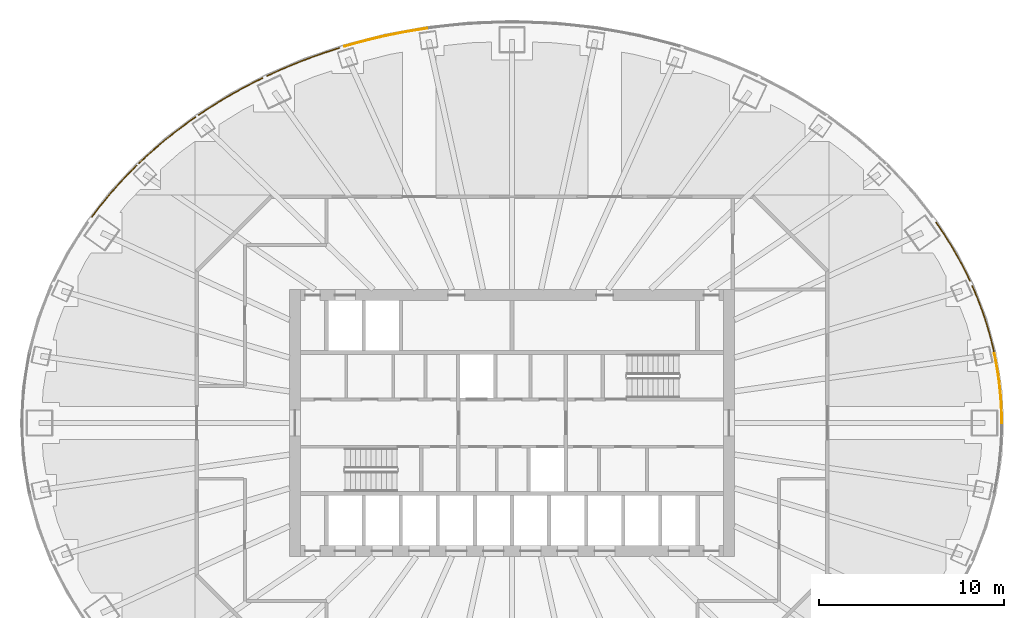
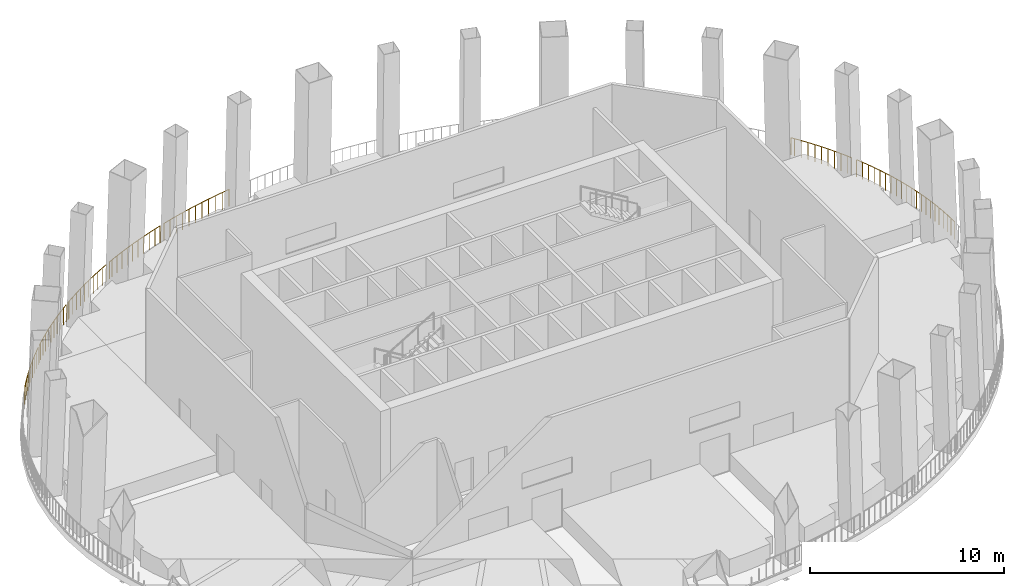
# One storey, part 12 of 13: 8 railings.
"""IFC4 building model written with IfcOpenShell, lengths in metres."""

import ifcopenshell
import ifcopenshell.guid

model = None  # the IFC model being written
_history = None  # IfcOwnerHistory: only IFC2X3 demands one
_inside = {}  # id of a spatial element -> (the spatial element, [elements in it])
_under = {}  # id of a project, library or spatial element -> (it, [spatial elements below it])
_declared = {}  # id of a project -> (the project, [libraries it declares])
_typed = {}  # id of a type object -> (the type object, [elements of that type])
_made_of = {}  # id of a material, layer set ... -> (it, [elements and type objects made of it])


def new_model(schema):
    """Start an empty IFC model of exactly this schema.

    Asked for "IFC4X3", IfcOpenShell would pick the latest addendum, in which some entities
    have other attributes; the version numbers below select the first issue.
    IFC2X3 requires an IfcOwnerHistory on every rooted entity: one is made here for all.
    """
    global model, _history
    if schema == "IFC4X3":
        model = ifcopenshell.file(schema_version=(4, 3, 0, 0))
    else:
        model = ifcopenshell.file(schema=schema)
    _inside.clear()
    _under.clear()
    _declared.clear()
    _typed.clear()
    _made_of.clear()
    _history = None
    if model.schema == "IFC2X3":
        org = make("IfcOrganization", Name="unknown")
        user = make(
            "IfcPersonAndOrganization",
            ThePerson=make("IfcPerson", FamilyName="unknown"),
            TheOrganization=org,
        )
        app = make(
            "IfcApplication",
            ApplicationDeveloper=org,
            Version="unknown",
            ApplicationFullName="unknown",
            ApplicationIdentifier="unknown",
        )
        _history = make(
            "IfcOwnerHistory",
            OwningUser=user,
            OwningApplication=app,
            ChangeAction="ADDED",
            CreationDate=0,
        )
    return model


def make(cls, **values):
    """One entity of the class cls with the attributes given. An attribute that is None is left unset."""
    return model.create_entity(
        cls, **{name: value for name, value in values.items() if value is not None}
    )


def rooted(cls, **values):
    """An entity with a GlobalId (a new one), such as an element, a storey or a relation."""
    return make(cls, GlobalId=ifcopenshell.guid.new(), OwnerHistory=_history, **values)


def si_unit(unit_type, name, prefix=None):
    """IfcSIUnit, for example si_unit("LENGTHUNIT", "METRE", prefix="MILLI")."""
    return make("IfcSIUnit", UnitType=unit_type, Prefix=prefix, Name=name)


def assignment(units):
    """IfcUnitAssignment: the units of a project."""
    return None if units is None else make("IfcUnitAssignment", Units=units)


def point(xyz):
    """IfcCartesianPoint."""
    return None if xyz is None else make("IfcCartesianPoint", Coordinates=xyz)


def direction(xyz):
    """IfcDirection."""
    return None if xyz is None else make("IfcDirection", DirectionRatios=xyz)


def frame(location, z_axis=None, x_axis=None):
    """IfcAxis2Placement3D, a coordinate frame: its origin and axes. An axis left out is left unset."""
    return make(
        "IfcAxis2Placement3D",
        Location=point(location),
        Axis=direction(z_axis),
        RefDirection=direction(x_axis),
    )


def frame_2d(location, x_axis=None):
    """IfcAxis2Placement2D, a coordinate frame in the plane: its origin and x axis."""
    return make(
        "IfcAxis2Placement2D", Location=point(location), RefDirection=direction(x_axis)
    )


def origin():
    """The frame at (0, 0, 0) with its axes left unset."""
    return frame((0.0, 0.0, 0.0))


def origin_2d():
    """The frame at (0, 0) in the plane with its x axis left unset."""
    return frame_2d((0.0, 0.0))


def place(relative_to, where):
    """IfcLocalPlacement: puts the frame where relative to a parent placement (None: the world)."""
    return make(
        "IfcLocalPlacement", PlacementRelTo=relative_to, RelativePlacement=where
    )


def context(
    kind, dimensions, precision=None, world=None, true_north=None, identifier=None
):
    """IfcGeometricRepresentationContext, for example the 3D "Model" context."""
    return make(
        "IfcGeometricRepresentationContext",
        ContextIdentifier=identifier,
        ContextType=kind,
        CoordinateSpaceDimension=dimensions,
        Precision=precision,
        WorldCoordinateSystem=world,
        TrueNorth=true_north,
    )


def subcontext(parent, identifier, kind, view, scale=None):
    """IfcGeometricRepresentationSubContext, for example "Body" below "Model"."""
    return make(
        "IfcGeometricRepresentationSubContext",
        ContextIdentifier=identifier,
        ContextType=kind,
        ParentContext=parent,
        TargetScale=scale,
        TargetView=view,
    )


def project(units=None, contexts=None):
    """IfcProject with its units and contexts."""
    return rooted(
        "IfcProject",
        Name="project",
        RepresentationContexts=contexts,
        UnitsInContext=assignment(units),
    )


def spatial(cls, under=None, at=None, **own):
    """A site, building, storey or space (cls), placed at a placement, below another one or the project."""
    s = rooted(cls, ObjectPlacement=at, **own)
    if under is not None:
        _under.setdefault(under.id(), (under, []))[1].append(s)
    return s


def profile(cls, at=None, kind="AREA", **sizes):
    """A parametric profile (cls). Its sizes go by their IFC names, for example OverallWidth=200.0."""
    return make(cls, ProfileType=kind, Position=at, **sizes)


def circle(**sizes):
    """IfcCircleProfileDef."""
    return profile("IfcCircleProfileDef", **sizes)


def extrude(swept, where, along, depth):
    """IfcExtrudedAreaSolid: the profile swept, set in the frame where, extruded along a direction by depth."""
    return make(
        "IfcExtrudedAreaSolid",
        SweptArea=swept,
        Position=where,
        ExtrudedDirection=direction(along),
        Depth=depth,
    )


def shape(context_of_items, identifier, shape_type, items):
    """IfcShapeRepresentation: the items that make up one representation, for example the "Body"."""
    return make(
        "IfcShapeRepresentation",
        ContextOfItems=context_of_items,
        RepresentationIdentifier=identifier,
        RepresentationType=shape_type,
        Items=items,
    )


def material(Name=None, Category=None):
    """IfcMaterial."""
    return make("IfcMaterial", Name=Name, Category=Category)


def made_of(thing, what):
    """Note that an element or type object is made of a material, layer set ...; save() writes the relation."""
    if what is not None:
        _made_of.setdefault(what.id(), (what, []))[1].append(thing)
    return thing


def type_object(cls, material=None, **own):
    """A type object (cls), such as IfcWallType, which elements share."""
    return made_of(rooted(cls, **own), material)


def element(
    cls,
    number,
    at=None,
    inside=None,
    cuts=None,
    type_object=None,
    material=None,
    context=None,
    identifier="Body",
    shape_type=None,
    held_by="IfcProductDefinitionShape",
    body=None,
    shapes=None,
    **own,
):
    """One element of the class cls, such as IfcWall. Its Tag is "e" and its number.

    at: its placement. inside: the storey or other place that contains it. cuts: it is an
    opening in that element (IfcRelVoidsElement). A single representation is given by context,
    identifier, shape_type and body (its items); several are given by shapes. held_by: the class
    of the entity that holds the representations. save() writes the other relations.
    """
    e = rooted(cls, Tag="e%d" % number, ObjectPlacement=at, **own)
    if body is not None:
        shapes = [shape(context, identifier, shape_type, body)]
    if shapes is not None:
        e.Representation = make(held_by, Representations=shapes)
    if inside is not None:
        _inside.setdefault(inside.id(), (inside, []))[1].append(e)
    if cuts is not None:
        rooted(
            "IfcRelVoidsElement", RelatingBuildingElement=cuts, RelatedOpeningElement=e
        )
    if type_object is not None:
        _typed.setdefault(type_object.id(), (type_object, []))[1].append(e)
    return made_of(e, material)


def aggregate(whole, parts):
    """IfcRelAggregates: a whole, such as a stair, and the parts it consists of."""
    return rooted("IfcRelAggregates", RelatingObject=whole, RelatedObjects=parts)


def save(model, path):
    """Write the relations noted so far, then the file.

    IfcRelAggregates (storeys below a building ...), IfcRelContainedInSpatialStructure (elements
    in a storey), IfcRelDefinesByType, IfcRelAssociatesMaterial and IfcRelDeclares: one each for
    every whole, place, type object, material and project.
    """
    for whole, parts in _under.values():
        aggregate(whole, parts)
    for where, things in _inside.values():
        rooted(
            "IfcRelContainedInSpatialStructure",
            RelatedElements=things,
            RelatingStructure=where,
        )
    for kind, things in _typed.values():
        rooted("IfcRelDefinesByType", RelatedObjects=things, RelatingType=kind)
    for what, things in _made_of.values():
        rooted("IfcRelAssociatesMaterial", RelatedObjects=things, RelatingMaterial=what)
    for by, libraries in _declared.values():
        rooted("IfcRelDeclares", RelatingContext=by, RelatedDefinitions=libraries)
    model.write(path)


model = new_model("IFC4")

# Units and contexts
model_context = context("Model", 3, precision=1e-05, world=origin(), true_north=direction((0.0, 1.0)))
body_context = subcontext(model_context, "Body", "Model", "MODEL_VIEW")
ifc_project = project(units=[si_unit("LENGTHUNIT", "METRE"), si_unit("AREAUNIT", "SQUARE_METRE"), si_unit("VOLUMEUNIT", "CUBIC_METRE"), si_unit("PLANEANGLEUNIT", "RADIAN"), si_unit("MASSUNIT", "GRAM", prefix="KILO")], contexts=[model_context])

# Site, building, storey
site_placement = place(None, origin())
site = spatial("IfcSite", under=ifc_project, at=site_placement, CompositionType="ELEMENT")
building_placement = place(site_placement, origin())
building = spatial("IfcBuilding", under=site, at=building_placement, Name="Siaravel Broadcast Tower", CompositionType="ELEMENT")
storey_placement = place(building_placement, frame((0.0, 0.0, 85.199951171875)))
storey = spatial("IfcBuildingStorey", under=building, at=storey_placement, Name="L20", CompositionType="ELEMENT", Elevation=85.199951171875)

# Railings
ifc_material = material(Name="Steel S355", Category="steel")
railing_type = type_object("IfcRailingType", Name="Guard 1100", PredefinedType="GUARDRAIL", material=ifc_material)
railing_1_placement = place(storey_placement, frame((26.409423828125, 0.0, 0.080078125)))
element("IfcRailing", 1, at=railing_1_placement, inside=storey, type_object=railing_type, Name="L20 sky garden guard 01", PredefinedType="GUARDRAIL", context=body_context, shape_type="SweptSolid", body=[
    extrude(circle(Radius=0.02392578125, at=origin_2d()), frame((0.0, 0.0, 1.076171875), z_axis=(-0.010355432, 0.999946381, 0.0), x_axis=(-0.999946381, -0.010355432, 0.0)), (0.0, 0.0, 1.0), 0.377197265625),
    extrude(circle(Radius=0.02392578125, at=origin_2d()), frame((-0.00390625, 0.377197265625, 1.076171875), z_axis=(-0.032366453, 0.999476069, 0.0), x_axis=(-0.999476069, -0.032366453, 0.0)), (0.0, 0.0, 1.0), 0.377197265625),
    extrude(circle(Radius=0.02392578125, at=origin_2d()), frame((-0.01611328125, 0.754150390625, 1.076171875), z_axis=(-0.053034068, 0.998592704, 0.0), x_axis=(-0.998592704, -0.053034068, 0.0)), (0.0, 0.0, 1.0), 0.37744140625),
    extrude(circle(Radius=0.02392578125, at=origin_2d()), frame((-0.0361328125, 1.131103515625, 1.076171875), z_axis=(-0.07437193, 0.997230573, 0.0), x_axis=(-0.997230573, -0.07437193, 0.0)), (0.0, 0.0, 1.0), 0.37744140625),
    extrude(circle(Radius=0.02392578125, at=origin_2d()), frame((-0.064208984375, 1.507568359375, 1.076171875), z_axis=(-0.096303539, 0.995352012, 0.0), x_axis=(-0.995352012, -0.096303539, 0.0)), (0.0, 0.0, 1.0), 0.377685546875),
    extrude(circle(Radius=0.02392578125, at=origin_2d()), frame((-0.1005859375, 1.883544921875, 1.076171875), z_axis=(-0.116953717, 0.993137366, 0.0), x_axis=(-0.993137366, -0.116953717, 0.0)), (0.0, 0.0, 1.0), 0.3779296875),
    extrude(circle(Radius=0.02392578125, at=origin_2d()), frame((-0.144775390625, 2.2587890625, 1.076171875), z_axis=(-0.137990099, 0.990433608, 0.0), x_axis=(-0.990433608, -0.137990099, 0.0)), (0.0, 0.0, 1.0), 0.378662109375),
    extrude(circle(Radius=0.02392578125, at=origin_2d()), frame((-0.197021484375, 2.6337890625, 1.076171875), z_axis=(-0.158644417, 0.987335783, 0.0), x_axis=(-0.987335783, -0.158644417, 0.0)), (0.0, 0.0, 1.0), 0.378662109375),
    extrude(circle(Radius=0.02392578125, at=origin_2d()), frame((-0.257080078125, 3.007568359375, 1.076171875), z_axis=(-0.179621902, 0.983735723, 0.0), x_axis=(-0.983735723, -0.179621902, 0.0)), (0.0, 0.0, 1.0), 0.379150390625),
    extrude(circle(Radius=0.02392578125, at=origin_2d()), frame((-0.3251953125, 3.380615234375, 1.076171875), z_axis=(-0.199947416, 0.979806629, 0.0), x_axis=(-0.979806629, -0.199947416, 0.0)), (0.0, 0.0, 1.0), 0.379638671875),
    extrude(circle(Radius=0.02099609375, at=origin_2d()), origin(), (0.0, 0.0, 1.0), 1.052001953125),
    extrude(circle(Radius=0.02099609375, at=origin_2d()), frame((-0.00390625, 0.377197265625, 0.0)), (0.0, 0.0, 1.0), 1.052001953125),
    extrude(circle(Radius=0.02099609375, at=origin_2d()), frame((-0.01611328125, 0.754150390625, 0.0)), (0.0, 0.0, 1.0), 1.052001953125),
    extrude(circle(Radius=0.02099609375, at=origin_2d()), frame((-0.0361328125, 1.131103515625, 0.0)), (0.0, 0.0, 1.0), 1.052001953125),
    extrude(circle(Radius=0.02099609375, at=origin_2d()), frame((-0.064208984375, 1.507568359375, 0.0)), (0.0, 0.0, 1.0), 1.052001953125),
    extrude(circle(Radius=0.02099609375, at=origin_2d()), frame((-0.1005859375, 1.883544921875, 0.0)), (0.0, 0.0, 1.0), 1.052001953125),
    extrude(circle(Radius=0.02099609375, at=origin_2d()), frame((-0.144775390625, 2.2587890625, 0.0)), (0.0, 0.0, 1.0), 1.052001953125),
    extrude(circle(Radius=0.02099609375, at=origin_2d()), frame((-0.197021484375, 2.6337890625, 0.0)), (0.0, 0.0, 1.0), 1.052001953125),
    extrude(circle(Radius=0.02099609375, at=origin_2d()), frame((-0.257080078125, 3.007568359375, 0.0)), (0.0, 0.0, 1.0), 1.052001953125),
    extrude(circle(Radius=0.02099609375, at=origin_2d()), frame((-0.3251953125, 3.380615234375, 0.0)), (0.0, 0.0, 1.0), 1.052001953125),
    extrude(circle(Radius=0.02099609375, at=origin_2d()), frame((-0.401123046875, 3.752685546875, 0.0)), (0.0, 0.0, 1.0), 1.052001953125),
])
railing_2_placement = place(storey_placement, frame((26.00830078125, 3.752685546875, 0.080078125)))
element("IfcRailing", 2, at=railing_2_placement, inside=storey, type_object=railing_type, Name="L20 sky garden guard 02", PredefinedType="GUARDRAIL", context=body_context, shape_type="SweptSolid", body=[
    extrude(circle(Radius=0.02392578125, at=origin_2d()), frame((0.0, 0.0, 1.076171875), z_axis=(-0.220871747, 0.975302861, 0.0), x_axis=(-0.975302861, -0.220871747, 0.0)), (0.0, 0.0, 1.0), 0.380126953125),
    extrude(circle(Radius=0.02392578125, at=origin_2d()), frame((-0.083984375, 0.370849609375, 1.076171875), z_axis=(-0.241630677, 0.970368289, 0.0), x_axis=(-0.970368289, -0.241630677, 0.0)), (0.0, 0.0, 1.0), 0.380859375),
    extrude(circle(Radius=0.02392578125, at=origin_2d()), frame((-0.176025390625, 0.740478515625, 1.076171875), z_axis=(-0.261763284, 0.965132107, 0.0), x_axis=(-0.965132107, -0.261763284, 0.0)), (0.0, 0.0, 1.0), 0.38134765625),
    extrude(circle(Radius=0.02392578125, at=origin_2d()), frame((-0.27587890625, 1.108642578125, 1.076171875), z_axis=(-0.281128409, 0.959670161, 0.0), x_axis=(-0.959670161, -0.281128409, 0.0)), (0.0, 0.0, 1.0), 0.382080078125),
    extrude(circle(Radius=0.02392578125, at=origin_2d()), frame((-0.38330078125, 1.475341796875, 1.076171875), z_axis=(-0.301466882, 0.953476649, 0.0), x_axis=(-0.953476649, -0.301466882, 0.0)), (0.0, 0.0, 1.0), 0.383056640625),
    extrude(circle(Radius=0.02392578125, at=origin_2d()), frame((-0.498779296875, 1.840576171875, 1.076171875), z_axis=(-0.321184309, 0.947016705, 0.0), x_axis=(-0.947016705, -0.321184309, 0.0)), (0.0, 0.0, 1.0), 0.3837890625),
    extrude(circle(Radius=0.02392578125, at=origin_2d()), frame((-0.6220703125, 2.2041015625, 1.076171875), z_axis=(-0.340315265, 0.940311395, 0.0), x_axis=(-0.940311395, -0.340315265, 0.0)), (0.0, 0.0, 1.0), 0.384521484375),
    extrude(circle(Radius=0.02392578125, at=origin_2d()), frame((-0.7529296875, 2.565673828125, 1.076171875), z_axis=(-0.359785419, 0.933035075, 0.0), x_axis=(-0.933035075, -0.359785419, 0.0)), (0.0, 0.0, 1.0), 0.385498046875),
    extrude(circle(Radius=0.02392578125, at=origin_2d()), frame((-0.8916015625, 2.92529296875, 1.076171875), z_axis=(-0.377919108, 0.925838618, 0.0), x_axis=(-0.925838618, -0.377919108, 0.0)), (0.0, 0.0, 1.0), 0.38623046875),
    extrude(circle(Radius=0.02392578125, at=origin_2d()), frame((-1.03759765625, 3.282958984375, 1.076171875), z_axis=(-0.397413005, 0.917639855, 0.0), x_axis=(-0.917639855, -0.397413005, 0.0)), (0.0, 0.0, 1.0), 0.3876953125),
    extrude(circle(Radius=0.02099609375, at=origin_2d()), origin(), (0.0, 0.0, 1.0), 1.052001953125),
    extrude(circle(Radius=0.02099609375, at=origin_2d()), frame((-0.083984375, 0.370849609375, 0.0)), (0.0, 0.0, 1.0), 1.052001953125),
    extrude(circle(Radius=0.02099609375, at=origin_2d()), frame((-0.176025390625, 0.740478515625, 0.0)), (0.0, 0.0, 1.0), 1.052001953125),
    extrude(circle(Radius=0.02099609375, at=origin_2d()), frame((-0.27587890625, 1.108642578125, 0.0)), (0.0, 0.0, 1.0), 1.052001953125),
    extrude(circle(Radius=0.02099609375, at=origin_2d()), frame((-0.38330078125, 1.475341796875, 0.0)), (0.0, 0.0, 1.0), 1.052001953125),
    extrude(circle(Radius=0.02099609375, at=origin_2d()), frame((-0.498779296875, 1.840576171875, 0.0)), (0.0, 0.0, 1.0), 1.052001953125),
    extrude(circle(Radius=0.02099609375, at=origin_2d()), frame((-0.6220703125, 2.2041015625, 0.0)), (0.0, 0.0, 1.0), 1.052001953125),
    extrude(circle(Radius=0.02099609375, at=origin_2d()), frame((-0.7529296875, 2.565673828125, 0.0)), (0.0, 0.0, 1.0), 1.052001953125),
    extrude(circle(Radius=0.02099609375, at=origin_2d()), frame((-0.8916015625, 2.92529296875, 0.0)), (0.0, 0.0, 1.0), 1.052001953125),
    extrude(circle(Radius=0.02099609375, at=origin_2d()), frame((-1.03759765625, 3.282958984375, 0.0)), (0.0, 0.0, 1.0), 1.052001953125),
    extrude(circle(Radius=0.02099609375, at=origin_2d()), frame((-1.191650390625, 3.638671875, 0.0)), (0.0, 0.0, 1.0), 1.052001953125),
])
railing_3_placement = place(storey_placement, frame((24.68896484375, 7.671875, 0.080078125)))
element("IfcRailing", 3, at=railing_3_placement, inside=storey, type_object=railing_type, Name="L20 sky garden guard 03", PredefinedType="GUARDRAIL", context=body_context, shape_type="SweptSolid", body=[
    extrude(circle(Radius=0.02392578125, at=origin_2d()), frame((0.0, 0.0, 1.076171875), z_axis=(-0.42648154, 0.904496266, 0.0), x_axis=(-0.904496266, -0.42648154, 0.0)), (0.0, 0.0, 1.0), 0.274658203125),
    extrude(circle(Radius=0.02392578125, at=origin_2d()), frame((-0.1171875, 0.24853515625, 1.076171875), z_axis=(-0.442699517, 0.896670027, 0.0), x_axis=(-0.896670027, -0.442699517, 0.0)), (0.0, 0.0, 1.0), 0.389892578125),
    extrude(circle(Radius=0.02392578125, at=origin_2d()), frame((-0.289794921875, 0.59814453125, 1.076171875), z_axis=(-0.460645081, 0.887584424, 0.0), x_axis=(-0.887584424, -0.460645081, 0.0)), (0.0, 0.0, 1.0), 0.39111328125),
    extrude(circle(Radius=0.02392578125, at=origin_2d()), frame((-0.469970703125, 0.9453125, 1.076171875), z_axis=(-0.47780564, 0.878465577, 0.0), x_axis=(-0.878465577, -0.47780564, 0.0)), (0.0, 0.0, 1.0), 0.392333984375),
    extrude(circle(Radius=0.02392578125, at=origin_2d()), frame((-0.657470703125, 1.2900390625, 1.076171875), z_axis=(-0.495203044, 0.86877727, 0.0), x_axis=(-0.86877727, -0.495203044, 0.0)), (0.0, 0.0, 1.0), 0.393310546875),
    extrude(circle(Radius=0.02392578125, at=origin_2d()), frame((-0.852294921875, 1.6318359375, 1.076171875), z_axis=(-0.51185377, 0.859072592, 0.0), x_axis=(-0.859072592, -0.51185377, 0.0)), (0.0, 0.0, 1.0), 0.39453125),
    extrude(circle(Radius=0.02392578125, at=origin_2d()), frame((-1.05419921875, 1.970703125, 1.076171875), z_axis=(-0.528834979, 0.84872467, 0.0), x_axis=(-0.84872467, -0.528834979, 0.0)), (0.0, 0.0, 1.0), 0.39599609375),
    extrude(circle(Radius=0.02392578125, at=origin_2d()), frame((-1.263671875, 2.306884765625, 1.076171875), z_axis=(-0.544728999, 0.838612138, 0.0), x_axis=(-0.838612138, -0.544728999, 0.0)), (0.0, 0.0, 1.0), 0.39697265625),
    extrude(circle(Radius=0.02392578125, at=origin_2d()), frame((-1.47998046875, 2.639892578125, 1.076171875), z_axis=(-0.560766836, 0.827973765, 0.0), x_axis=(-0.827973765, -0.560766836, 0.0)), (0.0, 0.0, 1.0), 0.3984375),
    extrude(circle(Radius=0.02392578125, at=origin_2d()), frame((-1.703369140625, 2.9697265625, 1.076171875), z_axis=(-0.57288834, 0.819633424, 0.0), x_axis=(-0.819633424, -0.57288834, 0.0)), (0.0, 0.0, 1.0), 0.199951171875),
    extrude(circle(Radius=0.02099609375, at=origin_2d()), origin(), (0.0, 0.0, 1.0), 1.052001953125),
    extrude(circle(Radius=0.02099609375, at=origin_2d()), frame((-0.1171875, 0.24853515625, 0.0)), (0.0, 0.0, 1.0), 1.052001953125),
    extrude(circle(Radius=0.02099609375, at=origin_2d()), frame((-0.289794921875, 0.59814453125, 0.0)), (0.0, 0.0, 1.0), 1.052001953125),
    extrude(circle(Radius=0.02099609375, at=origin_2d()), frame((-0.469970703125, 0.9453125, 0.0)), (0.0, 0.0, 1.0), 1.052001953125),
    extrude(circle(Radius=0.02099609375, at=origin_2d()), frame((-0.657470703125, 1.2900390625, 0.0)), (0.0, 0.0, 1.0), 1.052001953125),
    extrude(circle(Radius=0.02099609375, at=origin_2d()), frame((-0.852294921875, 1.6318359375, 0.0)), (0.0, 0.0, 1.0), 1.052001953125),
    extrude(circle(Radius=0.02099609375, at=origin_2d()), frame((-1.05419921875, 1.970703125, 0.0)), (0.0, 0.0, 1.0), 1.052001953125),
    extrude(circle(Radius=0.02099609375, at=origin_2d()), frame((-1.263671875, 2.306884765625, 0.0)), (0.0, 0.0, 1.0), 1.052001953125),
    extrude(circle(Radius=0.02099609375, at=origin_2d()), frame((-1.47998046875, 2.639892578125, 0.0)), (0.0, 0.0, 1.0), 1.052001953125),
    extrude(circle(Radius=0.02099609375, at=origin_2d()), frame((-1.703369140625, 2.9697265625, 0.0)), (0.0, 0.0, 1.0), 1.052001953125),
    extrude(circle(Radius=0.02099609375, at=origin_2d()), frame((-1.81787109375, 3.133544921875, 0.0)), (0.0, 0.0, 1.0), 1.052001953125),
])
railing_4_placement = place(storey_placement, frame((-4.5859375, 21.2822265625, 0.080078125)))
element("IfcRailing", 4, at=railing_4_placement, inside=storey, type_object=railing_type, Name="L20 sky garden guard 11", PredefinedType="GUARDRAIL", context=body_context, shape_type="SweptSolid", body=[
    extrude(circle(Radius=0.02392578125, at=origin_2d()), frame((0.0, 0.0, 1.076171875), z_axis=(-0.988744163, -0.149616107, 0.0), x_axis=(0.149616107, -0.988744163, 0.0)), (0.0, 0.0, 1.0), 0.45849609375),
    extrude(circle(Radius=0.02392578125, at=origin_2d()), frame((-0.453369140625, -0.068603515625, 1.076171875), z_axis=(-0.986408338, -0.164312476, 0.0), x_axis=(0.164312476, -0.986408338, 0.0)), (0.0, 0.0, 1.0), 0.45751953125),
    extrude(circle(Radius=0.02392578125, at=origin_2d()), frame((-0.90478515625, -0.143798828125, 1.076171875), z_axis=(-0.983895511, -0.178744575, 0.0), x_axis=(0.178744575, -0.983895511, 0.0)), (0.0, 0.0, 1.0), 0.45751953125),
    extrude(circle(Radius=0.02392578125, at=origin_2d()), frame((-1.35498046875, -0.2255859375, 1.076171875), z_axis=(-0.981293946, -0.192515433, 0.0), x_axis=(0.192515433, -0.981293946, 0.0)), (0.0, 0.0, 1.0), 0.45654296875),
    extrude(circle(Radius=0.02392578125, at=origin_2d()), frame((-1.802978515625, -0.3134765625, 1.076171875), z_axis=(-0.978316348, -0.207116207, 0.0), x_axis=(0.207116207, -0.978316348, 0.0)), (0.0, 0.0, 1.0), 0.456298828125),
    extrude(circle(Radius=0.02392578125, at=origin_2d()), frame((-2.249267578125, -0.407958984375, 1.076171875), z_axis=(-0.97518023, -0.221412554, 0.0), x_axis=(0.221412554, -0.97518023, 0.0)), (0.0, 0.0, 1.0), 0.455322265625),
    extrude(circle(Radius=0.02392578125, at=origin_2d()), frame((-2.693359375, -0.5087890625, 1.076171875), z_axis=(-0.971853829, -0.235584666, 0.0), x_axis=(0.235584666, -0.971853829, 0.0)), (0.0, 0.0, 1.0), 0.454833984375),
    extrude(circle(Radius=0.02392578125, at=origin_2d()), frame((-3.135498046875, -0.615966796875, 1.076171875), z_axis=(-0.968344469, -0.249617685, 0.0), x_axis=(0.249617685, -0.968344469, 0.0)), (0.0, 0.0, 1.0), 0.453857421875),
    extrude(circle(Radius=0.02392578125, at=origin_2d()), frame((-3.574951171875, -0.729248046875, 1.076171875), z_axis=(-0.964415038, -0.264392956, 0.0), x_axis=(0.264392956, -0.964415038, 0.0)), (0.0, 0.0, 1.0), 0.453369140625),
    extrude(circle(Radius=0.02392578125, at=origin_2d()), frame((-4.01220703125, -0.84912109375, 1.076171875), z_axis=(-0.960560469, -0.278071187, 0.0), x_axis=(0.278071187, -0.960560469, 0.0)), (0.0, 0.0, 1.0), 0.4521484375),
    extrude(circle(Radius=0.02099609375, at=origin_2d()), origin(), (0.0, 0.0, 1.0), 1.052001953125),
    extrude(circle(Radius=0.02099609375, at=origin_2d()), frame((-0.453369140625, -0.068603515625, 0.0)), (0.0, 0.0, 1.0), 1.052001953125),
    extrude(circle(Radius=0.02099609375, at=origin_2d()), frame((-0.90478515625, -0.143798828125, 0.0)), (0.0, 0.0, 1.0), 1.052001953125),
    extrude(circle(Radius=0.02099609375, at=origin_2d()), frame((-1.35498046875, -0.2255859375, 0.0)), (0.0, 0.0, 1.0), 1.052001953125),
    extrude(circle(Radius=0.02099609375, at=origin_2d()), frame((-1.802978515625, -0.3134765625, 0.0)), (0.0, 0.0, 1.0), 1.052001953125),
    extrude(circle(Radius=0.02099609375, at=origin_2d()), frame((-2.249267578125, -0.407958984375, 0.0)), (0.0, 0.0, 1.0), 1.052001953125),
    extrude(circle(Radius=0.02099609375, at=origin_2d()), frame((-2.693359375, -0.5087890625, 0.0)), (0.0, 0.0, 1.0), 1.052001953125),
    extrude(circle(Radius=0.02099609375, at=origin_2d()), frame((-3.135498046875, -0.615966796875, 0.0)), (0.0, 0.0, 1.0), 1.052001953125),
    extrude(circle(Radius=0.02099609375, at=origin_2d()), frame((-3.574951171875, -0.729248046875, 0.0)), (0.0, 0.0, 1.0), 1.052001953125),
    extrude(circle(Radius=0.02099609375, at=origin_2d()), frame((-4.01220703125, -0.84912109375, 0.0)), (0.0, 0.0, 1.0), 1.052001953125),
    extrude(circle(Radius=0.02099609375, at=origin_2d()), frame((-4.446533203125, -0.974853515625, 0.0)), (0.0, 0.0, 1.0), 1.052001953125),
])
railing_5_placement = place(storey_placement, frame((-9.3115234375, 20.22265625, 0.080078125)))
element("IfcRailing", 5, at=railing_5_placement, inside=storey, type_object=railing_type, Name="L20 sky garden guard 12", PredefinedType="GUARDRAIL", context=body_context, shape_type="SweptSolid", body=[
    extrude(circle(Radius=0.02392578125, at=origin_2d()), frame((0.0, 0.0, 1.076171875), z_axis=(-0.953869406, -0.300221845, 0.0), x_axis=(0.300221845, -0.953869406, 0.0)), (0.0, 0.0, 1.0), 0.385498046875),
    extrude(circle(Radius=0.02392578125, at=origin_2d()), frame((-0.36767578125, -0.11572265625, 1.076171875), z_axis=(-0.949386197, -0.314111205, 0.0), x_axis=(0.314111205, -0.949386197, 0.0)), (0.0, 0.0, 1.0), 0.449951171875),
    extrude(circle(Radius=0.02392578125, at=origin_2d()), frame((-0.794921875, -0.257080078125, 1.076171875), z_axis=(-0.944584748, -0.328267657, 0.0), x_axis=(0.328267657, -0.944584748, 0.0)), (0.0, 0.0, 1.0), 0.44921875),
    extrude(circle(Radius=0.02392578125, at=origin_2d()), frame((-1.21923828125, -0.404541015625, 1.076171875), z_axis=(-0.939666121, -0.342092942, 0.0), x_axis=(0.342092942, -0.939666121, 0.0)), (0.0, 0.0, 1.0), 0.4482421875),
    extrude(circle(Radius=0.02392578125, at=origin_2d()), frame((-1.640380859375, -0.557861328125, 1.076171875), z_axis=(-0.934201835, -0.356744911, 0.0), x_axis=(0.356744911, -0.934201835, 0.0)), (0.0, 0.0, 1.0), 0.44677734375),
    extrude(circle(Radius=0.02392578125, at=origin_2d()), frame((-2.057861328125, -0.71728515625, 1.076171875), z_axis=(-0.928816023, -0.370541219, 0.0), x_axis=(0.370541219, -0.928816023, 0.0)), (0.0, 0.0, 1.0), 0.446044921875),
    extrude(circle(Radius=0.02392578125, at=origin_2d()), frame((-2.47216796875, -0.882568359375, 1.076171875), z_axis=(-0.922930837, -0.384965804, 0.0), x_axis=(0.384965804, -0.922930837, 0.0)), (0.0, 0.0, 1.0), 0.4453125),
    extrude(circle(Radius=0.02392578125, at=origin_2d()), frame((-2.883056640625, -1.053955078125, 1.076171875), z_axis=(-0.917026322, -0.398826685, 0.0), x_axis=(0.398826685, -0.917026322, 0.0)), (0.0, 0.0, 1.0), 0.44384765625),
    extrude(circle(Radius=0.02392578125, at=origin_2d()), frame((-3.2900390625, -1.23095703125, 1.076171875), z_axis=(-0.910668474, -0.413137908, 0.0), x_axis=(0.413137908, -0.910668474, 0.0)), (0.0, 0.0, 1.0), 0.442626953125),
    extrude(circle(Radius=0.02392578125, at=origin_2d()), frame((-3.693115234375, -1.413818359375, 1.076171875), z_axis=(-0.905843772, -0.423611923, 0.0), x_axis=(0.423611923, -0.905843772, 0.0)), (0.0, 0.0, 1.0), 0.220703125),
    extrude(circle(Radius=0.02099609375, at=origin_2d()), origin(), (0.0, 0.0, 1.0), 1.052001953125),
    extrude(circle(Radius=0.02099609375, at=origin_2d()), frame((-0.36767578125, -0.11572265625, 0.0)), (0.0, 0.0, 1.0), 1.052001953125),
    extrude(circle(Radius=0.02099609375, at=origin_2d()), frame((-0.794921875, -0.257080078125, 0.0)), (0.0, 0.0, 1.0), 1.052001953125),
    extrude(circle(Radius=0.02099609375, at=origin_2d()), frame((-1.21923828125, -0.404541015625, 0.0)), (0.0, 0.0, 1.0), 1.052001953125),
    extrude(circle(Radius=0.02099609375, at=origin_2d()), frame((-1.640380859375, -0.557861328125, 0.0)), (0.0, 0.0, 1.0), 1.052001953125),
    extrude(circle(Radius=0.02099609375, at=origin_2d()), frame((-2.057861328125, -0.71728515625, 0.0)), (0.0, 0.0, 1.0), 1.052001953125),
    extrude(circle(Radius=0.02099609375, at=origin_2d()), frame((-2.47216796875, -0.882568359375, 0.0)), (0.0, 0.0, 1.0), 1.052001953125),
    extrude(circle(Radius=0.02099609375, at=origin_2d()), frame((-2.883056640625, -1.053955078125, 0.0)), (0.0, 0.0, 1.0), 1.052001953125),
    extrude(circle(Radius=0.02099609375, at=origin_2d()), frame((-3.2900390625, -1.23095703125, 0.0)), (0.0, 0.0, 1.0), 1.052001953125),
    extrude(circle(Radius=0.02099609375, at=origin_2d()), frame((-3.693115234375, -1.413818359375, 0.0)), (0.0, 0.0, 1.0), 1.052001953125),
    extrude(circle(Radius=0.02099609375, at=origin_2d()), frame((-3.89306640625, -1.50732421875, 0.0)), (0.0, 0.0, 1.0), 1.052001953125),
])
railing_6_placement = place(storey_placement, frame((-13.467529296875, 18.58935546875, 0.080078125)))
element("IfcRailing", 6, at=railing_6_placement, inside=storey, type_object=railing_type, Name="L20 sky garden guard 13", PredefinedType="GUARDRAIL", context=body_context, shape_type="SweptSolid", body=[
    extrude(circle(Radius=0.02392578125, at=origin_2d()), frame((0.0, 0.0, 1.076171875), z_axis=(-0.896924739, -0.442183235, 0.0), x_axis=(0.442183235, -0.896924739, 0.0)), (0.0, 0.0, 1.0), 0.369384765625),
    extrude(circle(Radius=0.02392578125, at=origin_2d()), frame((-0.331298828125, -0.163330078125, 1.076171875), z_axis=(-0.89049979, -0.454983653, 0.0), x_axis=(0.454983653, -0.89049979, 0.0)), (0.0, 0.0, 1.0), 0.43896484375),
    extrude(circle(Radius=0.02392578125, at=origin_2d()), frame((-0.72216796875, -0.363037109375, 1.076171875), z_axis=(-0.883000212, -0.469372587, 0.0), x_axis=(0.469372587, -0.883000212, 0.0)), (0.0, 0.0, 1.0), 0.43798828125),
    extrude(circle(Radius=0.02392578125, at=origin_2d()), frame((-1.10888671875, -0.568603515625, 1.076171875), z_axis=(-0.87544711, -0.483313932, 0.0), x_axis=(0.483313932, -0.87544711, 0.0)), (0.0, 0.0, 1.0), 0.4365234375),
    extrude(circle(Radius=0.02392578125, at=origin_2d()), frame((-1.490966796875, -0.779541015625, 1.076171875), z_axis=(-0.86762082, -0.497226421, 0.0), x_axis=(0.497226421, -0.86762082, 0.0)), (0.0, 0.0, 1.0), 0.43505859375),
    extrude(circle(Radius=0.02392578125, at=origin_2d()), frame((-1.868408203125, -0.995849609375, 1.076171875), z_axis=(-0.859669452, -0.510850695, 0.0), x_axis=(0.510850695, -0.859669452, 0.0)), (0.0, 0.0, 1.0), 0.433837890625),
    extrude(circle(Radius=0.02392578125, at=origin_2d()), frame((-2.241455078125, -1.217529296875, 1.076171875), z_axis=(-0.850998426, -0.525168239, 0.0), x_axis=(0.525168239, -0.850998426, 0.0)), (0.0, 0.0, 1.0), 0.432373046875),
    extrude(circle(Radius=0.02392578125, at=origin_2d()), frame((-2.609375, -1.444580078125, 1.076171875), z_axis=(-0.84261061, -0.538523314, 0.0), x_axis=(0.538523314, -0.84261061, 0.0)), (0.0, 0.0, 1.0), 0.43115234375),
    extrude(circle(Radius=0.02392578125, at=origin_2d()), frame((-2.97265625, -1.6767578125, 1.076171875), z_axis=(-0.833620557, -0.552337547, 0.0), x_axis=(0.552337547, -0.833620557, 0.0)), (0.0, 0.0, 1.0), 0.4296875),
    extrude(circle(Radius=0.02392578125, at=origin_2d()), frame((-3.330810546875, -1.9140625, 1.076171875), z_axis=(-0.826506062, -0.562927819, 0.0), x_axis=(0.562927819, -0.826506062, 0.0)), (0.0, 0.0, 1.0), 0.129638671875),
    extrude(circle(Radius=0.02099609375, at=origin_2d()), origin(), (0.0, 0.0, 1.0), 1.052001953125),
    extrude(circle(Radius=0.02099609375, at=origin_2d()), frame((-0.331298828125, -0.163330078125, 0.0)), (0.0, 0.0, 1.0), 1.052001953125),
    extrude(circle(Radius=0.02099609375, at=origin_2d()), frame((-0.72216796875, -0.363037109375, 0.0)), (0.0, 0.0, 1.0), 1.052001953125),
    extrude(circle(Radius=0.02099609375, at=origin_2d()), frame((-1.10888671875, -0.568603515625, 0.0)), (0.0, 0.0, 1.0), 1.052001953125),
    extrude(circle(Radius=0.02099609375, at=origin_2d()), frame((-1.490966796875, -0.779541015625, 0.0)), (0.0, 0.0, 1.0), 1.052001953125),
    extrude(circle(Radius=0.02099609375, at=origin_2d()), frame((-1.868408203125, -0.995849609375, 0.0)), (0.0, 0.0, 1.0), 1.052001953125),
    extrude(circle(Radius=0.02099609375, at=origin_2d()), frame((-2.241455078125, -1.217529296875, 0.0)), (0.0, 0.0, 1.0), 1.052001953125),
    extrude(circle(Radius=0.02099609375, at=origin_2d()), frame((-2.609375, -1.444580078125, 0.0)), (0.0, 0.0, 1.0), 1.052001953125),
    extrude(circle(Radius=0.02099609375, at=origin_2d()), frame((-2.97265625, -1.6767578125, 0.0)), (0.0, 0.0, 1.0), 1.052001953125),
    extrude(circle(Radius=0.02099609375, at=origin_2d()), frame((-3.330810546875, -1.9140625, 0.0)), (0.0, 0.0, 1.0), 1.052001953125),
    extrude(circle(Radius=0.02099609375, at=origin_2d()), frame((-3.43798828125, -1.987060546875, 0.0)), (0.0, 0.0, 1.0), 1.052001953125),
])
railing_7_placement = place(storey_placement, frame((-17.06640625, 16.491943359375, 0.080078125)))
element("IfcRailing", 7, at=railing_7_placement, inside=storey, type_object=railing_type, Name="L20 sky garden guard 14", PredefinedType="GUARDRAIL", context=body_context, shape_type="SweptSolid", body=[
    extrude(circle(Radius=0.02392578125, at=origin_2d()), frame((0.0, 0.0, 1.076171875), z_axis=(-0.818797848, -0.57408195, 0.0), x_axis=(0.57408195, -0.818797848, 0.0)), (0.0, 0.0, 1.0), 0.317138671875),
    extrude(circle(Radius=0.02392578125, at=origin_2d()), frame((-0.259765625, -0.18212890625, 1.076171875), z_axis=(-0.809923356, -0.586535726, 0.0), x_axis=(0.586535726, -0.809923356, 0.0)), (0.0, 0.0, 1.0), 0.42626953125),
    extrude(circle(Radius=0.02392578125, at=origin_2d()), frame((-0.60498046875, -0.43212890625, 1.076171875), z_axis=(-0.8, -0.6, 0.0), x_axis=(0.6, -0.8, 0.0)), (0.0, 0.0, 1.0), 0.4248046875),
    extrude(circle(Radius=0.02392578125, at=origin_2d()), frame((-0.94482421875, -0.68701171875, 1.076171875), z_axis=(-0.789849026, -0.613301326, 0.0), x_axis=(0.613301326, -0.789849026, 0.0)), (0.0, 0.0, 1.0), 0.423095703125),
    extrude(circle(Radius=0.02392578125, at=origin_2d()), frame((-1.279052734375, -0.946533203125, 1.076171875), z_axis=(-0.779342431, -0.626598257, 0.0), x_axis=(0.626598257, -0.779342431, 0.0)), (0.0, 0.0, 1.0), 0.421875),
    extrude(circle(Radius=0.02392578125, at=origin_2d()), frame((-1.60791015625, -1.2109375, 1.076171875), z_axis=(-0.768364074, -0.640013008, 0.0), x_axis=(0.640013008, -0.768364074, 0.0)), (0.0, 0.0, 1.0), 0.42041015625),
    extrude(circle(Radius=0.02392578125, at=origin_2d()), frame((-1.930908203125, -1.47998046875, 1.076171875), z_axis=(-0.757320545, -0.653043331, 0.0), x_axis=(0.653043331, -0.757320545, 0.0)), (0.0, 0.0, 1.0), 0.419189453125),
    extrude(circle(Radius=0.02392578125, at=origin_2d()), frame((-2.248291015625, -1.753662109375, 1.076171875), z_axis=(-0.745761207, -0.666213345, 0.0), x_axis=(0.666213345, -0.745761207, 0.0)), (0.0, 0.0, 1.0), 0.41748046875),
    extrude(circle(Radius=0.02392578125, at=origin_2d()), frame((-2.5595703125, -2.03173828125, 1.076171875), z_axis=(-0.734150631, -0.678986635, 0.0), x_axis=(0.678986635, -0.734150631, 0.0)), (0.0, 0.0, 1.0), 0.416015625),
    extrude(circle(Radius=0.02392578125, at=origin_2d()), frame((-2.864990234375, -2.314208984375, 1.076171875), z_axis=(-0.724472386, -0.689303824, 0.0), x_axis=(0.689303824, -0.724472386, 0.0)), (0.0, 0.0, 1.0), 0.242919921875),
    extrude(circle(Radius=0.02099609375, at=origin_2d()), origin(), (0.0, 0.0, 1.0), 1.052001953125),
    extrude(circle(Radius=0.02099609375, at=origin_2d()), frame((-0.259765625, -0.18212890625, 0.0)), (0.0, 0.0, 1.0), 1.052001953125),
    extrude(circle(Radius=0.02099609375, at=origin_2d()), frame((-0.60498046875, -0.43212890625, 0.0)), (0.0, 0.0, 1.0), 1.052001953125),
    extrude(circle(Radius=0.02099609375, at=origin_2d()), frame((-0.94482421875, -0.68701171875, 0.0)), (0.0, 0.0, 1.0), 1.052001953125),
    extrude(circle(Radius=0.02099609375, at=origin_2d()), frame((-1.279052734375, -0.946533203125, 0.0)), (0.0, 0.0, 1.0), 1.052001953125),
    extrude(circle(Radius=0.02099609375, at=origin_2d()), frame((-1.60791015625, -1.2109375, 0.0)), (0.0, 0.0, 1.0), 1.052001953125),
    extrude(circle(Radius=0.02099609375, at=origin_2d()), frame((-1.930908203125, -1.47998046875, 0.0)), (0.0, 0.0, 1.0), 1.052001953125),
    extrude(circle(Radius=0.02099609375, at=origin_2d()), frame((-2.248291015625, -1.753662109375, 0.0)), (0.0, 0.0, 1.0), 1.052001953125),
    extrude(circle(Radius=0.02099609375, at=origin_2d()), frame((-2.5595703125, -2.03173828125, 0.0)), (0.0, 0.0, 1.0), 1.052001953125),
    extrude(circle(Radius=0.02099609375, at=origin_2d()), frame((-2.864990234375, -2.314208984375, 0.0)), (0.0, 0.0, 1.0), 1.052001953125),
    extrude(circle(Radius=0.02099609375, at=origin_2d()), frame((-3.041015625, -2.481689453125, 0.0)), (0.0, 0.0, 1.0), 1.052001953125),
])
railing_8_placement = place(storey_placement, frame((-20.2412109375, 13.880859375, 0.080078125)))
element("IfcRailing", 8, at=railing_8_placement, inside=storey, type_object=railing_type, Name="L20 sky garden guard 15", PredefinedType="GUARDRAIL", context=body_context, shape_type="SweptSolid", body=[
    extrude(circle(Radius=0.02392578125, at=origin_2d()), frame((0.0, 0.0, 1.076171875), z_axis=(-0.709553495, -0.704651571, 0.0), x_axis=(0.704651571, -0.709553495, 0.0)), (0.0, 0.0, 1.0), 0.3984375),
    extrude(circle(Radius=0.02392578125, at=origin_2d()), frame((-0.28271484375, -0.28076171875, 1.076171875), z_axis=(-0.696654941, -0.717406365, 0.0), x_axis=(0.717406365, -0.696654941, 0.0)), (0.0, 0.0, 1.0), 0.411865234375),
    extrude(circle(Radius=0.02392578125, at=origin_2d()), frame((-0.569580078125, -0.576171875, 1.076171875), z_axis=(-0.684435908, -0.729073033, 0.0), x_axis=(0.729073033, -0.684435908, 0.0)), (0.0, 0.0, 1.0), 0.41015625),
    extrude(circle(Radius=0.02392578125, at=origin_2d()), frame((-0.850341796875, -0.875244140625, 1.076171875), z_axis=(-0.670678721, -0.741747971, 0.0), x_axis=(0.741747971, -0.670678721, 0.0)), (0.0, 0.0, 1.0), 0.40869140625),
    extrude(circle(Radius=0.02392578125, at=origin_2d()), frame((-1.12451171875, -1.178466796875, 1.076171875), z_axis=(-0.656890678, -0.753985833, 0.0), x_axis=(0.753985833, -0.656890678, 0.0)), (0.0, 0.0, 1.0), 0.4072265625),
    extrude(circle(Radius=0.02392578125, at=origin_2d()), frame((-1.39208984375, -1.485595703125, 1.076171875), z_axis=(-0.643079214, -0.765799663, 0.0), x_axis=(0.765799663, -0.643079214, 0.0)), (0.0, 0.0, 1.0), 0.40576171875),
    extrude(circle(Radius=0.02392578125, at=origin_2d()), frame((-1.653076171875, -1.79638671875, 1.076171875), z_axis=(-0.628955103, -0.777441624, 0.0), x_axis=(0.777441624, -0.628955103, 0.0)), (0.0, 0.0, 1.0), 0.404541015625),
    extrude(circle(Radius=0.02392578125, at=origin_2d()), frame((-1.907470703125, -2.11083984375, 1.076171875), z_axis=(-0.61452726, -0.788895586, 0.0), x_axis=(0.788895586, -0.61452726, 0.0)), (0.0, 0.0, 1.0), 0.4033203125),
    extrude(circle(Radius=0.02392578125, at=origin_2d()), frame((-2.1552734375, -2.428955078125, 1.076171875), z_axis=(-0.599319015, -0.800510286, 0.0), x_axis=(0.800510286, -0.599319015, 0.0)), (0.0, 0.0, 1.0), 0.401611328125),
    extrude(circle(Radius=0.02392578125, at=origin_2d()), frame((-2.39599609375, -2.75048828125, 1.076171875), z_axis=(-0.586509812, -0.809942122, 0.0), x_axis=(0.809942122, -0.586509812, 0.0)), (0.0, 0.0, 1.0), 0.0087890625),
    extrude(circle(Radius=0.02099609375, at=origin_2d()), origin(), (0.0, 0.0, 1.0), 1.052001953125),
    extrude(circle(Radius=0.02099609375, at=origin_2d()), frame((-0.28271484375, -0.28076171875, 0.0)), (0.0, 0.0, 1.0), 1.052001953125),
    extrude(circle(Radius=0.02099609375, at=origin_2d()), frame((-0.569580078125, -0.576171875, 0.0)), (0.0, 0.0, 1.0), 1.052001953125),
    extrude(circle(Radius=0.02099609375, at=origin_2d()), frame((-0.850341796875, -0.875244140625, 0.0)), (0.0, 0.0, 1.0), 1.052001953125),
    extrude(circle(Radius=0.02099609375, at=origin_2d()), frame((-1.12451171875, -1.178466796875, 0.0)), (0.0, 0.0, 1.0), 1.052001953125),
    extrude(circle(Radius=0.02099609375, at=origin_2d()), frame((-1.39208984375, -1.485595703125, 0.0)), (0.0, 0.0, 1.0), 1.052001953125),
    extrude(circle(Radius=0.02099609375, at=origin_2d()), frame((-1.653076171875, -1.79638671875, 0.0)), (0.0, 0.0, 1.0), 1.052001953125),
    extrude(circle(Radius=0.02099609375, at=origin_2d()), frame((-1.907470703125, -2.11083984375, 0.0)), (0.0, 0.0, 1.0), 1.052001953125),
    extrude(circle(Radius=0.02099609375, at=origin_2d()), frame((-2.1552734375, -2.428955078125, 0.0)), (0.0, 0.0, 1.0), 1.052001953125),
    extrude(circle(Radius=0.02099609375, at=origin_2d()), frame((-2.39599609375, -2.75048828125, 0.0)), (0.0, 0.0, 1.0), 1.052001953125),
    extrude(circle(Radius=0.02099609375, at=origin_2d()), frame((-2.401123046875, -2.757568359375, 0.0)), (0.0, 0.0, 1.0), 1.052001953125),
])

save(model, "model.ifc")
